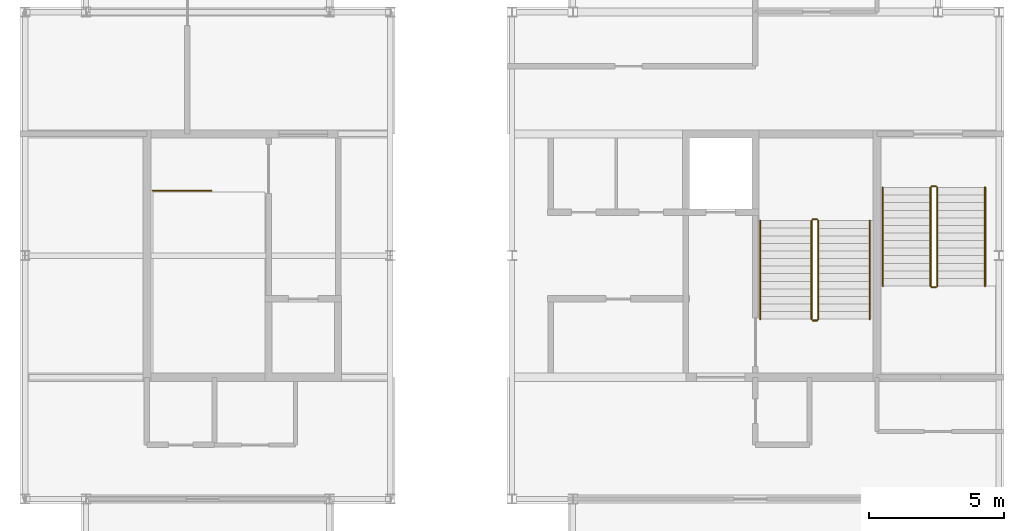
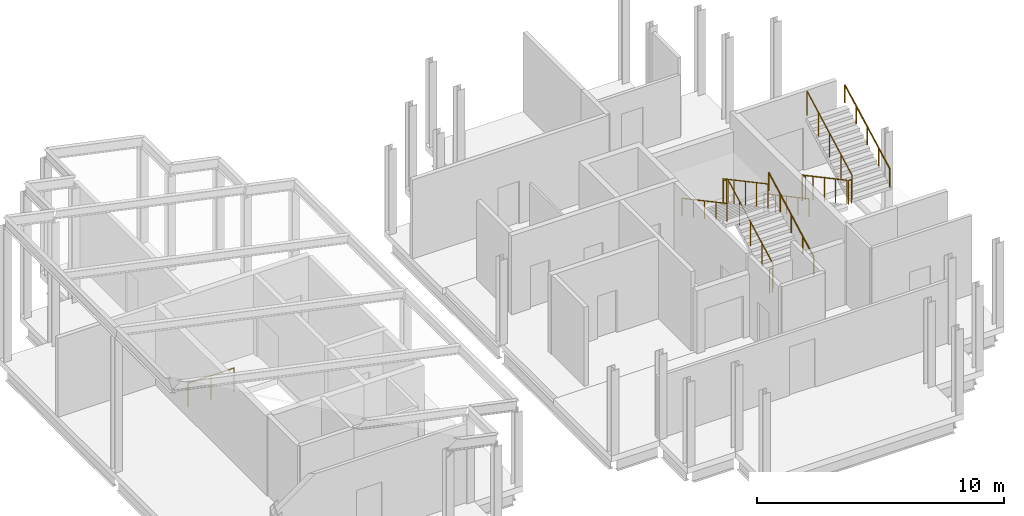
# One storey, part 6 of 6: 13 railings.
"""IFC4 building model written with IfcOpenShell, lengths in metres."""

from ifc_helpers import new_model, si_unit, direction, frame, origin, origin_2d, place, context, subcontext, project, spatial, circle, extrude, material, type_object, element, save


model = new_model("IFC4")

# Units and contexts
model_context = context("Model", 3, precision=1e-05, world=origin(), true_north=direction((0.0, 1.0)))
body_context = subcontext(model_context, "Body", "Model", "MODEL_VIEW")
ifc_project = project(units=[si_unit("LENGTHUNIT", "METRE"), si_unit("AREAUNIT", "SQUARE_METRE"), si_unit("VOLUMEUNIT", "CUBIC_METRE"), si_unit("PLANEANGLEUNIT", "RADIAN"), si_unit("MASSUNIT", "GRAM", prefix="KILO")], contexts=[model_context])

# Site, building, storey
site_placement = place(None, origin())
site = spatial("IfcSite", under=ifc_project, at=site_placement, CompositionType="ELEMENT")
building_placement = place(site_placement, origin())
building = spatial("IfcBuilding", under=site, at=building_placement, Name="Caravel Reach Hotel and Residences", CompositionType="ELEMENT")
storey_placement = place(building_placement, frame((0.0, 0.0, 321.199951171875)))
storey = spatial("IfcBuildingStorey", under=building, at=storey_placement, Name="L81", CompositionType="ELEMENT", Elevation=321.199951171875)

# Railings
ifc_material_1 = material(Name="Steel balustrade with glass infill", Category="steel")
railing_type_1 = type_object("IfcRailingType", Name="Guard 1200", PredefinedType="GUARDRAIL", material=ifc_material_1)
railing_1_placement = place(storey_placement, frame((18.22509765625, 29.39990234375, 0.0)))
element("IfcRailing", 1, at=railing_1_placement, inside=storey, type_object=railing_type_1, Name="L81 ST-A top well guard 1", PredefinedType="GUARDRAIL", context=body_context, shape_type="SweptSolid", body=[
    extrude(circle(Radius=0.02392578125, at=origin_2d()), frame((0.0, 0.0, 1.17578125), z_axis=(1.0, 0.0, 0.0), x_axis=(0.0, 1.0, 0.0)), (0.0, 0.0, 1.0), 2.14990234375),
    extrude(circle(Radius=0.02099609375, at=origin_2d()), origin(), (0.0, 0.0, 1.0), 1.15185546875),
    extrude(circle(Radius=0.02099609375, at=origin_2d()), frame((1.074951171875, 0.0, 0.0)), (0.0, 0.0, 1.0), 1.15185546875),
    extrude(circle(Radius=0.02099609375, at=origin_2d()), frame((2.14990234375, 0.0, 0.0)), (0.0, 0.0, 1.0), 1.15185546875),
])
railing_2_placement = place(storey_placement, frame((42.824951171875, 24.64990234375, 0.150146484375)))
element("IfcRailing", 2, at=railing_2_placement, inside=storey, type_object=railing_type_1, Name="L81 ST-B stair guard 1", PredefinedType="GUARDRAIL", context=body_context, shape_type="SweptSolid", body=[
    extrude(circle(Radius=0.02392578125, at=origin_2d()), frame((0.0, 0.0, 1.17578125), z_axis=(0.0, 0.881492274372, 0.472198443689), x_axis=(-1.0, 0.0, 0.0)), (0.0, 0.0, 1.0), 4.12939453125),
    extrude(circle(Radius=0.02099609375, at=origin_2d()), origin(), (0.0, 0.0, 1.0), 1.15185546875),
    extrude(circle(Radius=0.02099609375, at=origin_2d()), frame((0.0, 0.91015625, 0.487548828125)), (0.0, 0.0, 1.0), 1.15185546875),
    extrude(circle(Radius=0.02099609375, at=origin_2d()), frame((0.0, 1.820068359375, 0.97509765625)), (0.0, 0.0, 1.0), 1.15185546875),
    extrude(circle(Radius=0.02099609375, at=origin_2d()), frame((0.0, 2.72998046875, 1.46240234375)), (0.0, 0.0, 1.0), 1.15185546875),
    extrude(circle(Radius=0.02099609375, at=origin_2d()), frame((0.0, 3.64013671875, 1.949951171875)), (0.0, 0.0, 1.0), 1.15185546875),
])
railing_3_placement = place(storey_placement, frame((42.77490234375, 28.340087890625, 2.10009765625)))
element("IfcRailing", 3, at=railing_3_placement, inside=storey, type_object=railing_type_1, Name="L81 ST-B stair guard 2", PredefinedType="GUARDRAIL", context=body_context, shape_type="SweptSolid", body=[
    extrude(circle(Radius=0.02392578125, at=origin_2d()), frame((0.0, 0.0, 1.17578125), z_axis=(-1.0, 0.0, 0.0), x_axis=(0.0, -1.0, 0.0)), (0.0, 0.0, 1.0), 0.14990234375),
    extrude(circle(Radius=0.02099609375, at=origin_2d()), origin(), (0.0, 0.0, 1.0), 1.15185546875),
    extrude(circle(Radius=0.02099609375, at=origin_2d()), frame((-0.14990234375, 0.0, 0.0)), (0.0, 0.0, 1.0), 1.15185546875),
])
railing_4_placement = place(storey_placement, frame((42.574951171875, 28.2900390625, 2.25)))
element("IfcRailing", 4, at=railing_4_placement, inside=storey, type_object=railing_type_1, Name="L81 ST-B stair guard 3", PredefinedType="GUARDRAIL", context=body_context, shape_type="SweptSolid", body=[
    extrude(circle(Radius=0.02392578125, at=origin_2d()), frame((0.0, 0.0, 1.17578125), z_axis=(0.0, -0.881492274372, 0.472198443689), x_axis=(1.0, 0.0, 0.0)), (0.0, 0.0, 1.0), 4.12939453125),
    extrude(circle(Radius=0.02099609375, at=origin_2d()), origin(), (0.0, 0.0, 1.0), 1.15185546875),
    extrude(circle(Radius=0.02099609375, at=origin_2d()), frame((0.0, -0.91015625, 0.487548828125)), (0.0, 0.0, 1.0), 1.15185546875),
    extrude(circle(Radius=0.02099609375, at=origin_2d()), frame((0.0, -1.820068359375, 0.97509765625)), (0.0, 0.0, 1.0), 1.15185546875),
    extrude(circle(Radius=0.02099609375, at=origin_2d()), frame((0.0, -2.72998046875, 1.46240234375)), (0.0, 0.0, 1.0), 1.15185546875),
    extrude(circle(Radius=0.02099609375, at=origin_2d()), frame((0.0, -3.64013671875, 1.949951171875)), (0.0, 0.0, 1.0), 1.15185546875),
])
railing_5_placement = place(storey_placement, frame((42.77490234375, 24.60009765625, 0.0)))
element("IfcRailing", 5, at=railing_5_placement, inside=storey, type_object=railing_type_1, Name="L81 ST-B stair guard 4", PredefinedType="GUARDRAIL", context=body_context, shape_type="SweptSolid", body=[
    extrude(circle(Radius=0.02392578125, at=origin_2d()), frame((0.0, 0.0, 1.17578125), z_axis=(-1.0, 0.0, 0.0), x_axis=(0.0, -1.0, 0.0)), (0.0, 0.0, 1.0), 0.14990234375),
    extrude(circle(Radius=0.02099609375, at=origin_2d()), origin(), (0.0, 0.0, 1.0), 1.15185546875),
    extrude(circle(Radius=0.02099609375, at=origin_2d()), frame((-0.14990234375, 0.0, 0.0)), (0.0, 0.0, 1.0), 1.15185546875),
])
railing_6_placement = place(storey_placement, frame((46.97509765625, 29.514892578125, 0.150146484375)))
element("IfcRailing", 6, at=railing_6_placement, inside=storey, type_object=railing_type_1, Name="L81 ST-C stair guard 1", PredefinedType="GUARDRAIL", context=body_context, shape_type="SweptSolid", body=[
    extrude(circle(Radius=0.02392578125, at=origin_2d()), frame((0.0, 0.0, 1.17578125), z_axis=(0.0, -0.881479091078, 0.472223053219), x_axis=(1.0, 0.0, 0.0)), (0.0, 0.0, 1.0), 4.12939453125),
    extrude(circle(Radius=0.02099609375, at=origin_2d()), origin(), (0.0, 0.0, 1.0), 1.15185546875),
    extrude(circle(Radius=0.02099609375, at=origin_2d()), frame((0.0, -0.909912109375, 0.487548828125)), (0.0, 0.0, 1.0), 1.15185546875),
    extrude(circle(Radius=0.02099609375, at=origin_2d()), frame((0.0, -1.81982421875, 0.97509765625)), (0.0, 0.0, 1.0), 1.15185546875),
    extrude(circle(Radius=0.02099609375, at=origin_2d()), frame((0.0, -2.72998046875, 1.46240234375)), (0.0, 0.0, 1.0), 1.15185546875),
    extrude(circle(Radius=0.02099609375, at=origin_2d()), frame((0.0, -3.639892578125, 1.949951171875)), (0.0, 0.0, 1.0), 1.15185546875),
])
railing_7_placement = place(storey_placement, frame((47.02490234375, 25.824951171875, 2.10009765625)))
element("IfcRailing", 7, at=railing_7_placement, inside=storey, type_object=railing_type_1, Name="L81 ST-C stair guard 2", PredefinedType="GUARDRAIL", context=body_context, shape_type="SweptSolid", body=[
    extrude(circle(Radius=0.02392578125, at=origin_2d()), frame((0.0, 0.0, 1.17578125), z_axis=(1.0, 0.0, 0.0), x_axis=(0.0, 1.0, 0.0)), (0.0, 0.0, 1.0), 0.150146484375),
    extrude(circle(Radius=0.02099609375, at=origin_2d()), origin(), (0.0, 0.0, 1.0), 1.15185546875),
    extrude(circle(Radius=0.02099609375, at=origin_2d()), frame((0.150146484375, 0.0, 0.0)), (0.0, 0.0, 1.0), 1.15185546875),
])
railing_8_placement = place(storey_placement, frame((47.22509765625, 25.875, 2.25)))
element("IfcRailing", 8, at=railing_8_placement, inside=storey, type_object=railing_type_1, Name="L81 ST-C stair guard 3", PredefinedType="GUARDRAIL", context=body_context, shape_type="SweptSolid", body=[
    extrude(circle(Radius=0.02392578125, at=origin_2d()), frame((0.0, 0.0, 1.17578125), z_axis=(0.0, 0.881479091078, 0.472223053219), x_axis=(-1.0, 0.0, 0.0)), (0.0, 0.0, 1.0), 4.12939453125),
    extrude(circle(Radius=0.02099609375, at=origin_2d()), origin(), (0.0, 0.0, 1.0), 1.15185546875),
    extrude(circle(Radius=0.02099609375, at=origin_2d()), frame((0.0, 0.909912109375, 0.487548828125)), (0.0, 0.0, 1.0), 1.15185546875),
    extrude(circle(Radius=0.02099609375, at=origin_2d()), frame((0.0, 1.81982421875, 0.97509765625)), (0.0, 0.0, 1.0), 1.15185546875),
    extrude(circle(Radius=0.02099609375, at=origin_2d()), frame((0.0, 2.72998046875, 1.46240234375)), (0.0, 0.0, 1.0), 1.15185546875),
    extrude(circle(Radius=0.02099609375, at=origin_2d()), frame((0.0, 3.639892578125, 1.949951171875)), (0.0, 0.0, 1.0), 1.15185546875),
])
railing_9_placement = place(storey_placement, frame((47.02490234375, 29.56494140625, 0.0)))
element("IfcRailing", 9, at=railing_9_placement, inside=storey, type_object=railing_type_1, Name="L81 ST-C stair guard 4", PredefinedType="GUARDRAIL", context=body_context, shape_type="SweptSolid", body=[
    extrude(circle(Radius=0.02392578125, at=origin_2d()), frame((0.0, 0.0, 1.17578125), z_axis=(1.0, 0.0, 0.0), x_axis=(0.0, 1.0, 0.0)), (0.0, 0.0, 1.0), 0.150146484375),
    extrude(circle(Radius=0.02099609375, at=origin_2d()), origin(), (0.0, 0.0, 1.0), 1.15185546875),
    extrude(circle(Radius=0.02099609375, at=origin_2d()), frame((0.150146484375, 0.0, 0.0)), (0.0, 0.0, 1.0), 1.15185546875),
])
ifc_material_2 = material(Name="Stainless steel handrail", Category="steel")
railing_type_2 = type_object("IfcRailingType", Name="Handrail 900", PredefinedType="HANDRAIL", material=ifc_material_2)
railing_10_placement = place(storey_placement, frame((44.72509765625, 24.64990234375, 0.150146484375)))
element("IfcRailing", 10, at=railing_10_placement, inside=storey, type_object=railing_type_2, Name="L81 ST-B stair handrail 1", PredefinedType="HANDRAIL", context=body_context, shape_type="SweptSolid", body=[
    extrude(circle(Radius=0.02392578125, at=origin_2d()), frame((0.0, 0.0, 0.8759765625), z_axis=(0.0, 0.881492274372, 0.472198443689), x_axis=(-1.0, 0.0, 0.0)), (0.0, 0.0, 1.0), 4.12939453125),
    extrude(circle(Radius=0.02099609375, at=origin_2d()), origin(), (0.0, 0.0, 1.0), 0.851806640625),
    extrude(circle(Radius=0.02099609375, at=origin_2d()), frame((0.0, 0.91015625, 0.487548828125)), (0.0, 0.0, 1.0), 0.851806640625),
    extrude(circle(Radius=0.02099609375, at=origin_2d()), frame((0.0, 1.820068359375, 0.97509765625)), (0.0, 0.0, 1.0), 0.851806640625),
    extrude(circle(Radius=0.02099609375, at=origin_2d()), frame((0.0, 2.72998046875, 1.46240234375)), (0.0, 0.0, 1.0), 0.851806640625),
    extrude(circle(Radius=0.02099609375, at=origin_2d()), frame((0.0, 3.64013671875, 1.949951171875)), (0.0, 0.0, 1.0), 0.851806640625),
])
railing_11_placement = place(storey_placement, frame((40.675048828125, 28.2900390625, 2.25)))
element("IfcRailing", 11, at=railing_11_placement, inside=storey, type_object=railing_type_2, Name="L81 ST-B stair handrail 2", PredefinedType="HANDRAIL", context=body_context, shape_type="SweptSolid", body=[
    extrude(circle(Radius=0.02392578125, at=origin_2d()), frame((0.0, 0.0, 0.8759765625), z_axis=(0.0, -0.881492274372, 0.472198443689), x_axis=(1.0, 0.0, 0.0)), (0.0, 0.0, 1.0), 4.12939453125),
    extrude(circle(Radius=0.02099609375, at=origin_2d()), origin(), (0.0, 0.0, 1.0), 0.851806640625),
    extrude(circle(Radius=0.02099609375, at=origin_2d()), frame((0.0, -0.91015625, 0.487548828125)), (0.0, 0.0, 1.0), 0.851806640625),
    extrude(circle(Radius=0.02099609375, at=origin_2d()), frame((0.0, -1.820068359375, 0.97509765625)), (0.0, 0.0, 1.0), 0.851806640625),
    extrude(circle(Radius=0.02099609375, at=origin_2d()), frame((0.0, -2.72998046875, 1.46240234375)), (0.0, 0.0, 1.0), 0.851806640625),
    extrude(circle(Radius=0.02099609375, at=origin_2d()), frame((0.0, -3.64013671875, 1.949951171875)), (0.0, 0.0, 1.0), 0.851806640625),
])
railing_12_placement = place(storey_placement, frame((45.2099609375, 29.514892578125, 0.150146484375)))
element("IfcRailing", 12, at=railing_12_placement, inside=storey, type_object=railing_type_2, Name="L81 ST-C stair handrail 1", PredefinedType="HANDRAIL", context=body_context, shape_type="SweptSolid", body=[
    extrude(circle(Radius=0.02392578125, at=origin_2d()), frame((0.0, 0.0, 0.8759765625), z_axis=(0.0, -0.881479091078, 0.472223053219), x_axis=(1.0, 0.0, 0.0)), (0.0, 0.0, 1.0), 4.12939453125),
    extrude(circle(Radius=0.02099609375, at=origin_2d()), origin(), (0.0, 0.0, 1.0), 0.851806640625),
    extrude(circle(Radius=0.02099609375, at=origin_2d()), frame((0.0, -0.909912109375, 0.487548828125)), (0.0, 0.0, 1.0), 0.851806640625),
    extrude(circle(Radius=0.02099609375, at=origin_2d()), frame((0.0, -1.81982421875, 0.97509765625)), (0.0, 0.0, 1.0), 0.851806640625),
    extrude(circle(Radius=0.02099609375, at=origin_2d()), frame((0.0, -2.72998046875, 1.46240234375)), (0.0, 0.0, 1.0), 0.851806640625),
    extrude(circle(Radius=0.02099609375, at=origin_2d()), frame((0.0, -3.639892578125, 1.949951171875)), (0.0, 0.0, 1.0), 0.851806640625),
])
railing_13_placement = place(storey_placement, frame((48.989990234375, 25.875, 2.25)))
element("IfcRailing", 13, at=railing_13_placement, inside=storey, type_object=railing_type_2, Name="L81 ST-C stair handrail 2", PredefinedType="HANDRAIL", context=body_context, shape_type="SweptSolid", body=[
    extrude(circle(Radius=0.02392578125, at=origin_2d()), frame((0.0, 0.0, 0.8759765625), z_axis=(0.0, 0.881479091078, 0.472223053219), x_axis=(-1.0, 0.0, 0.0)), (0.0, 0.0, 1.0), 4.12939453125),
    extrude(circle(Radius=0.02099609375, at=origin_2d()), origin(), (0.0, 0.0, 1.0), 0.851806640625),
    extrude(circle(Radius=0.02099609375, at=origin_2d()), frame((0.0, 0.909912109375, 0.487548828125)), (0.0, 0.0, 1.0), 0.851806640625),
    extrude(circle(Radius=0.02099609375, at=origin_2d()), frame((0.0, 1.81982421875, 0.97509765625)), (0.0, 0.0, 1.0), 0.851806640625),
    extrude(circle(Radius=0.02099609375, at=origin_2d()), frame((0.0, 2.72998046875, 1.46240234375)), (0.0, 0.0, 1.0), 0.851806640625),
    extrude(circle(Radius=0.02099609375, at=origin_2d()), frame((0.0, 3.639892578125, 1.949951171875)), (0.0, 0.0, 1.0), 0.851806640625),
])

save(model, "model.ifc")
